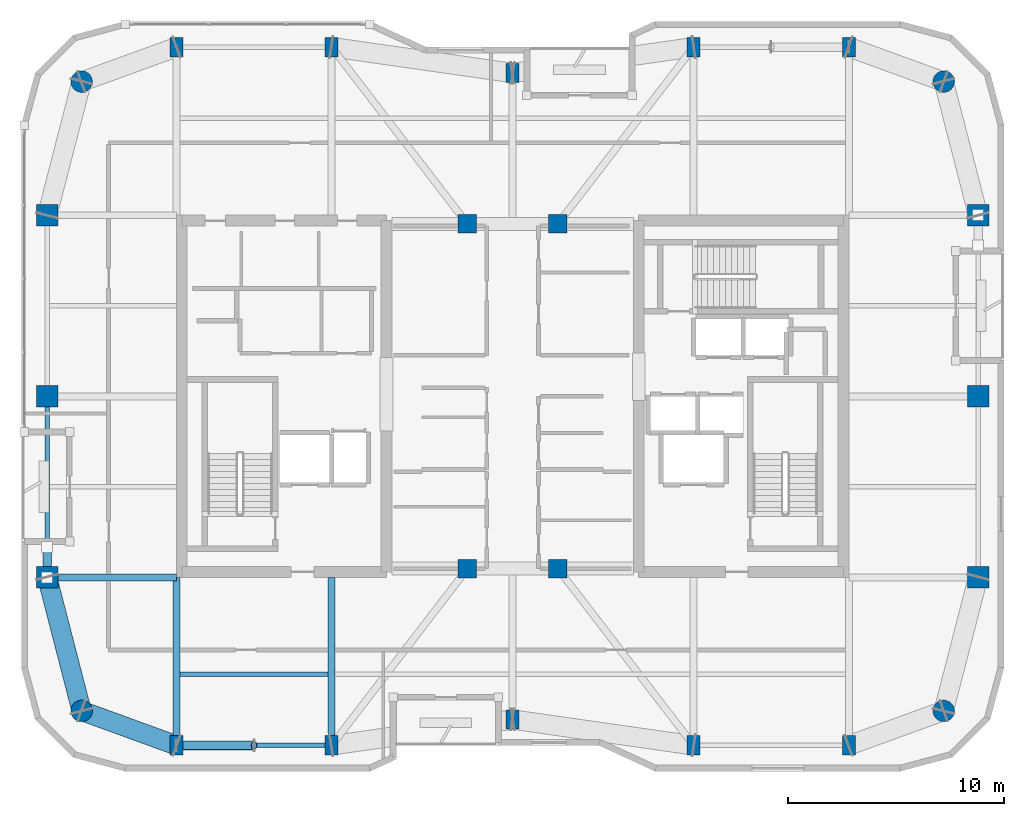
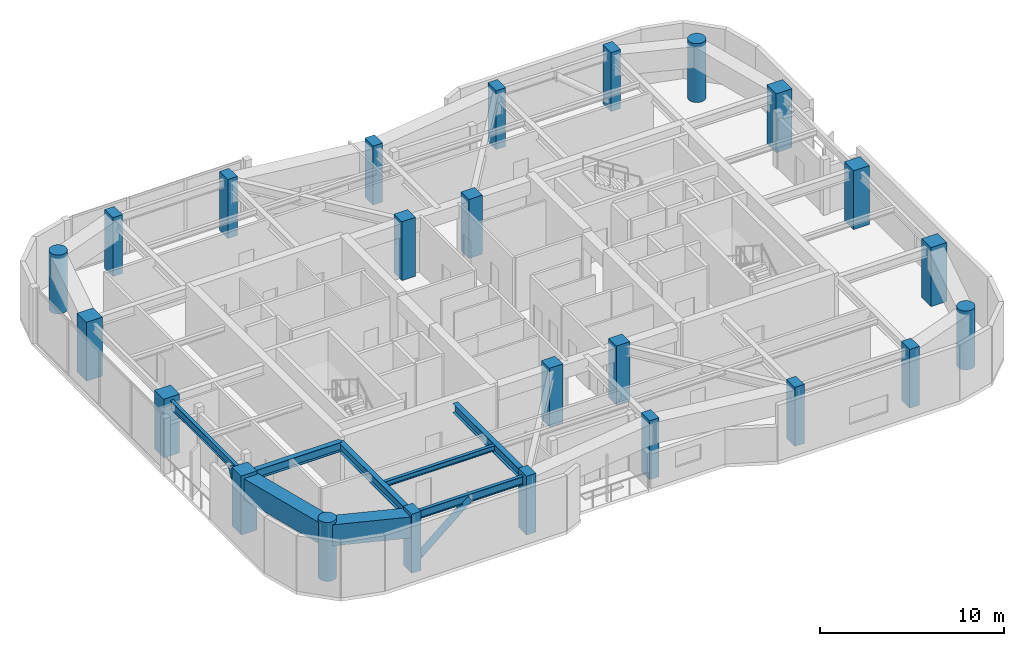
# One storey, part 1 of 15: 24 columns, 8 beams, 2 members.
"""IFC4 building model written with IfcOpenShell, lengths in metres."""

import ifcopenshell
import ifcopenshell.guid

model = None  # the IFC model being written
_history = None  # IfcOwnerHistory: only IFC2X3 demands one
_inside = {}  # id of a spatial element -> (the spatial element, [elements in it])
_under = {}  # id of a project, library or spatial element -> (it, [spatial elements below it])
_declared = {}  # id of a project -> (the project, [libraries it declares])
_typed = {}  # id of a type object -> (the type object, [elements of that type])
_made_of = {}  # id of a material, layer set ... -> (it, [elements and type objects made of it])


def new_model(schema):
    """Start an empty IFC model of exactly this schema.

    Asked for "IFC4X3", IfcOpenShell would pick the latest addendum, in which some entities
    have other attributes; the version numbers below select the first issue.
    IFC2X3 requires an IfcOwnerHistory on every rooted entity: one is made here for all.
    """
    global model, _history
    if schema == "IFC4X3":
        model = ifcopenshell.file(schema_version=(4, 3, 0, 0))
    else:
        model = ifcopenshell.file(schema=schema)
    _inside.clear()
    _under.clear()
    _declared.clear()
    _typed.clear()
    _made_of.clear()
    _history = None
    if model.schema == "IFC2X3":
        org = make("IfcOrganization", Name="unknown")
        user = make(
            "IfcPersonAndOrganization",
            ThePerson=make("IfcPerson", FamilyName="unknown"),
            TheOrganization=org,
        )
        app = make(
            "IfcApplication",
            ApplicationDeveloper=org,
            Version="unknown",
            ApplicationFullName="unknown",
            ApplicationIdentifier="unknown",
        )
        _history = make(
            "IfcOwnerHistory",
            OwningUser=user,
            OwningApplication=app,
            ChangeAction="ADDED",
            CreationDate=0,
        )
    return model


def make(cls, **values):
    """One entity of the class cls with the attributes given. An attribute that is None is left unset."""
    return model.create_entity(
        cls, **{name: value for name, value in values.items() if value is not None}
    )


def rooted(cls, **values):
    """An entity with a GlobalId (a new one), such as an element, a storey or a relation."""
    return make(cls, GlobalId=ifcopenshell.guid.new(), OwnerHistory=_history, **values)


def si_unit(unit_type, name, prefix=None):
    """IfcSIUnit, for example si_unit("LENGTHUNIT", "METRE", prefix="MILLI")."""
    return make("IfcSIUnit", UnitType=unit_type, Prefix=prefix, Name=name)


def assignment(units):
    """IfcUnitAssignment: the units of a project."""
    return None if units is None else make("IfcUnitAssignment", Units=units)


def point(xyz):
    """IfcCartesianPoint."""
    return None if xyz is None else make("IfcCartesianPoint", Coordinates=xyz)


def direction(xyz):
    """IfcDirection."""
    return None if xyz is None else make("IfcDirection", DirectionRatios=xyz)


def frame(location, z_axis=None, x_axis=None):
    """IfcAxis2Placement3D, a coordinate frame: its origin and axes. An axis left out is left unset."""
    return make(
        "IfcAxis2Placement3D",
        Location=point(location),
        Axis=direction(z_axis),
        RefDirection=direction(x_axis),
    )


def frame_2d(location, x_axis=None):
    """IfcAxis2Placement2D, a coordinate frame in the plane: its origin and x axis."""
    return make(
        "IfcAxis2Placement2D", Location=point(location), RefDirection=direction(x_axis)
    )


def origin():
    """The frame at (0, 0, 0) with its axes left unset."""
    return frame((0.0, 0.0, 0.0))


def origin_2d():
    """The frame at (0, 0) in the plane with its x axis left unset."""
    return frame_2d((0.0, 0.0))


def place(relative_to, where):
    """IfcLocalPlacement: puts the frame where relative to a parent placement (None: the world)."""
    return make(
        "IfcLocalPlacement", PlacementRelTo=relative_to, RelativePlacement=where
    )


def context(
    kind, dimensions, precision=None, world=None, true_north=None, identifier=None
):
    """IfcGeometricRepresentationContext, for example the 3D "Model" context."""
    return make(
        "IfcGeometricRepresentationContext",
        ContextIdentifier=identifier,
        ContextType=kind,
        CoordinateSpaceDimension=dimensions,
        Precision=precision,
        WorldCoordinateSystem=world,
        TrueNorth=true_north,
    )


def subcontext(parent, identifier, kind, view, scale=None):
    """IfcGeometricRepresentationSubContext, for example "Body" below "Model"."""
    return make(
        "IfcGeometricRepresentationSubContext",
        ContextIdentifier=identifier,
        ContextType=kind,
        ParentContext=parent,
        TargetScale=scale,
        TargetView=view,
    )


def project(units=None, contexts=None):
    """IfcProject with its units and contexts."""
    return rooted(
        "IfcProject",
        Name="project",
        RepresentationContexts=contexts,
        UnitsInContext=assignment(units),
    )


def spatial(cls, under=None, at=None, **own):
    """A site, building, storey or space (cls), placed at a placement, below another one or the project."""
    s = rooted(cls, ObjectPlacement=at, **own)
    if under is not None:
        _under.setdefault(under.id(), (under, []))[1].append(s)
    return s


def profile(cls, at=None, kind="AREA", **sizes):
    """A parametric profile (cls). Its sizes go by their IFC names, for example OverallWidth=200.0."""
    return make(cls, ProfileType=kind, Position=at, **sizes)


def rectangle(**sizes):
    """IfcRectangleProfileDef."""
    return profile("IfcRectangleProfileDef", **sizes)


def hollow_rectangle(**sizes):
    """IfcRectangleHollowProfileDef."""
    return profile("IfcRectangleHollowProfileDef", **sizes)


def circle(**sizes):
    """IfcCircleProfileDef."""
    return profile("IfcCircleProfileDef", **sizes)


def hollow_circle(**sizes):
    """IfcCircleHollowProfileDef."""
    return profile("IfcCircleHollowProfileDef", **sizes)


def i_section(**sizes):
    """IfcIShapeProfileDef."""
    return profile("IfcIShapeProfileDef", **sizes)


def extrude(swept, where, along, depth):
    """IfcExtrudedAreaSolid: the profile swept, set in the frame where, extruded along a direction by depth."""
    return make(
        "IfcExtrudedAreaSolid",
        SweptArea=swept,
        Position=where,
        ExtrudedDirection=direction(along),
        Depth=depth,
    )


def shape(context_of_items, identifier, shape_type, items):
    """IfcShapeRepresentation: the items that make up one representation, for example the "Body"."""
    return make(
        "IfcShapeRepresentation",
        ContextOfItems=context_of_items,
        RepresentationIdentifier=identifier,
        RepresentationType=shape_type,
        Items=items,
    )


def material(Name=None, Category=None):
    """IfcMaterial."""
    return make("IfcMaterial", Name=Name, Category=Category)


def material_profile(
    of_material, cross_section, Name=None, Category=None, Priority=None
):
    """IfcMaterialProfile: a cross section and its material."""
    return make(
        "IfcMaterialProfile",
        Name=Name,
        Material=of_material,
        Profile=cross_section,
        Priority=Priority,
        Category=Category,
    )


def profile_set(profiles, Name=None, composite=None):
    """IfcMaterialProfileSet."""
    return make(
        "IfcMaterialProfileSet",
        Name=Name,
        MaterialProfiles=profiles,
        CompositeProfile=composite,
    )


def made_of(thing, what):
    """Note that an element or type object is made of a material, layer set ...; save() writes the relation."""
    if what is not None:
        _made_of.setdefault(what.id(), (what, []))[1].append(thing)
    return thing


def type_object(cls, material=None, **own):
    """A type object (cls), such as IfcWallType, which elements share."""
    return made_of(rooted(cls, **own), material)


def element(
    cls,
    number,
    at=None,
    inside=None,
    cuts=None,
    type_object=None,
    material=None,
    context=None,
    identifier="Body",
    shape_type=None,
    held_by="IfcProductDefinitionShape",
    body=None,
    shapes=None,
    **own,
):
    """One element of the class cls, such as IfcWall. Its Tag is "e" and its number.

    at: its placement. inside: the storey or other place that contains it. cuts: it is an
    opening in that element (IfcRelVoidsElement). A single representation is given by context,
    identifier, shape_type and body (its items); several are given by shapes. held_by: the class
    of the entity that holds the representations. save() writes the other relations.
    """
    e = rooted(cls, Tag="e%d" % number, ObjectPlacement=at, **own)
    if body is not None:
        shapes = [shape(context, identifier, shape_type, body)]
    if shapes is not None:
        e.Representation = make(held_by, Representations=shapes)
    if inside is not None:
        _inside.setdefault(inside.id(), (inside, []))[1].append(e)
    if cuts is not None:
        rooted(
            "IfcRelVoidsElement", RelatingBuildingElement=cuts, RelatedOpeningElement=e
        )
    if type_object is not None:
        _typed.setdefault(type_object.id(), (type_object, []))[1].append(e)
    return made_of(e, material)


def aggregate(whole, parts):
    """IfcRelAggregates: a whole, such as a stair, and the parts it consists of."""
    return rooted("IfcRelAggregates", RelatingObject=whole, RelatedObjects=parts)


def save(model, path):
    """Write the relations noted so far, then the file.

    IfcRelAggregates (storeys below a building ...), IfcRelContainedInSpatialStructure (elements
    in a storey), IfcRelDefinesByType, IfcRelAssociatesMaterial and IfcRelDeclares: one each for
    every whole, place, type object, material and project.
    """
    for whole, parts in _under.values():
        aggregate(whole, parts)
    for where, things in _inside.values():
        rooted(
            "IfcRelContainedInSpatialStructure",
            RelatedElements=things,
            RelatingStructure=where,
        )
    for kind, things in _typed.values():
        rooted("IfcRelDefinesByType", RelatedObjects=things, RelatingType=kind)
    for what, things in _made_of.values():
        rooted("IfcRelAssociatesMaterial", RelatedObjects=things, RelatingMaterial=what)
    for by, libraries in _declared.values():
        rooted("IfcRelDeclares", RelatingContext=by, RelatedDefinitions=libraries)
    model.write(path)


model = new_model("IFC4")

# Units and contexts
model_context = context("Model", 3, precision=1e-05, world=origin(), true_north=direction((0.0, 1.0)))
body_context = subcontext(model_context, "Body", "Model", "MODEL_VIEW")
ifc_project = project(units=[si_unit("LENGTHUNIT", "METRE"), si_unit("AREAUNIT", "SQUARE_METRE"), si_unit("VOLUMEUNIT", "CUBIC_METRE"), si_unit("PLANEANGLEUNIT", "RADIAN"), si_unit("MASSUNIT", "GRAM", prefix="KILO")], contexts=[model_context])

# Site, building, storey
site_placement = place(None, origin())
site = spatial("IfcSite", under=ifc_project, at=site_placement, CompositionType="ELEMENT")
building_placement = place(site_placement, origin())
building = spatial("IfcBuilding", under=site, at=building_placement, Name="Kiyonajd Concourse Tower", CompositionType="ELEMENT")
storey_placement = place(building_placement, frame((0.0, 0.0, 290.10009765625)))
storey = spatial("IfcBuildingStorey", under=building, at=storey_placement, Name="L73", CompositionType="ELEMENT", Elevation=290.10009765625)

# Columns
ifc_material_1 = material(Name="Concrete C60/75", Category="concrete")
ifc_material_profile_1 = material_profile(ifc_material_1, rectangle(XDim=0.60009765625, YDim=0.89990234375, at=origin_2d()), Name="RC-900x600")
ifc_profile_set_1 = profile_set([ifc_material_profile_1], Name="Concrete C60/75")
column_type_1 = type_object("IfcColumnType", Name="CL-BLADE-900", PredefinedType="COLUMN", material=ifc_profile_set_1)
for number, where, z_axis, x_axis, name in (
    (1, (32.39990234375, 19.800048828125, 0.0), (0.0, 0.0, 1.0), (1.0, 0.0, 0.0), "L73 Perimeter Bundled Tube Column"),
    (2, (32.39990234375, 52.199951171875, 0.0), (0.0, 0.0, 1.0), (1.0, 0.0, 0.0), "L73 Perimeter Bundled Tube Column"),
    (3, (39.60009765625, 19.800048828125, 0.0), (0.0, 0.0, 1.0), (1.0, 0.0, 0.0), "L73 Perimeter Bundled Tube Column"),
    (4, (39.60009765625, 52.199951171875, 0.0), (0.0, 0.0, 1.0), (1.0, 0.0, 0.0), "L73 Perimeter Bundled Tube Column"),
    (5, (48.0, 21.0, 0.0), (0.0, 0.0, 1.0), (1.0, 0.0, 0.0), "L73 Perimeter Bundled Tube Column"),
    (6, (48.0, 51.0, 0.0), (0.0, 0.0, 1.0), (1.0, 0.0, 0.0), "L73 Perimeter Bundled Tube Column"),
    (7, (56.39990234375, 19.800048828125, 0.0), (0.0, 0.0, 1.0), (1.0, 0.0, 0.0), "L73 Perimeter Bundled Tube Column"),
    (8, (56.39990234375, 52.199951171875, 0.0), (0.0, 0.0, 1.0), (1.0, 0.0, 0.0), "L73 Perimeter Bundled Tube Column"),
    (9, (63.60009765625, 19.800048828125, 0.0), (0.0, 0.0, 1.0), (1.0, 0.0, 0.0), "L73 Perimeter Bundled Tube Column"),
    (10, (63.60009765625, 52.199951171875, 0.0), (0.0, 0.0, 1.0), (1.0, 0.0, 0.0), "L73 Perimeter Bundled Tube Column"),
):
    element("IfcColumn", number, at=place(storey_placement, frame(where, z_axis=z_axis, x_axis=x_axis)), inside=storey, type_object=column_type_1, Name=name, PredefinedType="COLUMN", context=body_context, shape_type="SweptSolid", body=[
        extrude(rectangle(XDim=0.60009765625, YDim=0.89990234375, at=origin_2d()), origin(), (0.0, 0.0, 1.0), 3.89990234375),
    ])
ifc_material_profile_2 = material_profile(ifc_material_1, circle(Radius=0.5, at=origin_2d()), Name="RCC-D1000")
ifc_profile_set_2 = profile_set([ifc_material_profile_2], Name="Concrete C60/75")
column_type_2 = type_object("IfcColumnType", Name="CL-RND-1000", PredefinedType="COLUMN", material=ifc_profile_set_2)
for number, where, z_axis, x_axis, name in (
    (11, (28.0, 21.39990234375, 0.0), (0.0, 0.0, 1.0), (1.0, 0.0, 0.0), "L73 Bundled Tube Corner Column South West"),
    (12, (68.0, 21.39990234375, 0.0), (0.0, 0.0, 1.0), (1.0, 0.0, 0.0), "L73 Bundled Tube Corner Column South East"),
    (13, (68.0, 50.60009765625, 0.0), (0.0, 0.0, 1.0), (1.0, 0.0, 0.0), "L73 Bundled Tube Corner Column North East"),
    (14, (28.0, 50.60009765625, 0.0), (0.0, 0.0, 1.0), (1.0, 0.0, 0.0), "L73 Bundled Tube Corner Column North West"),
):
    element("IfcColumn", number, at=place(storey_placement, frame(where, z_axis=z_axis, x_axis=x_axis)), inside=storey, type_object=column_type_2, Name=name, PredefinedType="COLUMN", context=body_context, shape_type="SweptSolid", body=[
        extrude(circle(Radius=0.5, at=origin_2d()), origin(), (0.0, 0.0, 1.0), 3.89990234375),
    ])
ifc_material_profile_3 = material_profile(ifc_material_1, rectangle(XDim=1.0, YDim=1.0, at=origin_2d()), Name="RC-1000x1000")
ifc_profile_set_3 = profile_set([ifc_material_profile_3], Name="Concrete C60/75")
column_type_3 = type_object("IfcColumnType", Name="CL-TUBE-1000", PredefinedType="COLUMN", material=ifc_profile_set_3)
for number, where, z_axis, x_axis, name in (
    (15, (26.39990234375, 27.60009765625, 0.0), (0.0, 0.0, 1.0), (1.0, 0.0, 0.0), "L73 Perimeter Bundled Tube Column"),
    (16, (69.60009765625, 27.60009765625, 0.0), (0.0, 0.0, 1.0), (1.0, 0.0, 0.0), "L73 Perimeter Bundled Tube Column"),
    (17, (26.39990234375, 36.0, 0.0), (0.0, 0.0, 1.0), (1.0, 0.0, 0.0), "L73 Perimeter Bundled Tube Column"),
    (18, (69.60009765625, 36.0, 0.0), (0.0, 0.0, 1.0), (1.0, 0.0, 0.0), "L73 Perimeter Bundled Tube Column"),
    (19, (26.39990234375, 44.39990234375, 0.0), (0.0, 0.0, 1.0), (1.0, 0.0, 0.0), "L73 Perimeter Bundled Tube Column"),
    (20, (69.60009765625, 44.39990234375, 0.0), (0.0, 0.0, 1.0), (1.0, 0.0, 0.0), "L73 Perimeter Bundled Tube Column"),
):
    element("IfcColumn", number, at=place(storey_placement, frame(where, z_axis=z_axis, x_axis=x_axis)), inside=storey, type_object=column_type_3, Name=name, PredefinedType="COLUMN", context=body_context, shape_type="SweptSolid", body=[
        extrude(rectangle(XDim=1.0, YDim=1.0, at=origin_2d()), origin(), (0.0, 0.0, 1.0), 3.89990234375),
    ])
ifc_material_profile_4 = material_profile(ifc_material_1, rectangle(XDim=0.85009765625, YDim=0.85009765625, at=origin_2d()), Name="RC-850x850")
ifc_profile_set_4 = profile_set([ifc_material_profile_4], Name="Concrete C60/75")
column_type_4 = type_object("IfcColumnType", Name="CL-TUBE-850", PredefinedType="COLUMN", material=ifc_profile_set_4)
for number, where, z_axis, x_axis, name in (
    (21, (45.89990234375, 28.0, 0.0), (0.0, 0.0, 1.0), (1.0, 0.0, 0.0), "L73 Core Tie Column South West"),
    (22, (50.10009765625, 28.0, 0.0), (0.0, 0.0, 1.0), (1.0, 0.0, 0.0), "L73 Core Tie Column South East"),
    (23, (45.89990234375, 44.0, 0.0), (0.0, 0.0, 1.0), (1.0, 0.0, 0.0), "L73 Core Tie Column North West"),
    (24, (50.10009765625, 44.0, 0.0), (0.0, 0.0, 1.0), (1.0, 0.0, 0.0), "L73 Core Tie Column North East"),
):
    element("IfcColumn", number, at=place(storey_placement, frame(where, z_axis=z_axis, x_axis=x_axis)), inside=storey, type_object=column_type_4, Name=name, PredefinedType="COLUMN", context=body_context, shape_type="SweptSolid", body=[
        extrude(rectangle(XDim=0.85009765625, YDim=0.85009765625, at=origin_2d()), origin(), (0.0, 0.0, 1.0), 3.89990234375),
    ])

# Beams
ifc_material_2 = material(Name="Steel ASTM A992 Grade 50", Category="steel")
ifc_material_profile_5 = material_profile(ifc_material_2, i_section(OverallWidth=0.205078125, OverallDepth=0.35400390625, WebThickness=0.009521484375, FlangeThickness=0.016845703125, at=origin_2d()), Name="W360X79")
ifc_profile_set_5 = profile_set([ifc_material_profile_5], Name="Steel ASTM A992 Grade 50")
beam_type_1 = type_object("IfcBeamType", Name="BM-JST-360", PredefinedType="JOIST", material=ifc_profile_set_5)
beam_1_placement = place(storey_placement, frame((32.56201171875, 23.10009765625, 3.5029296875), z_axis=(1.0, 0.0, 0.0), x_axis=(0.0, 1.0, 0.0)))
element("IfcBeam", 25, at=beam_1_placement, inside=storey, type_object=beam_type_1, Name="L73 Secondary Floor Joist", PredefinedType="JOIST", context=body_context, shape_type="SweptSolid", body=[
    extrude(i_section(OverallWidth=0.205078125, OverallDepth=0.35400390625, WebThickness=0.009521484375, FlangeThickness=0.016845703125, at=origin_2d()), origin(), (0.0, 0.0, 1.0), 6.8759765625),
])
ifc_material_profile_6 = material_profile(ifc_material_2, i_section(OverallWidth=0.2109375, OverallDepth=0.5390625, WebThickness=0.01171875, FlangeThickness=0.018798828125, at=origin_2d()), Name="W530X109")
ifc_profile_set_6 = profile_set([ifc_material_profile_6], Name="Steel ASTM A992 Grade 50")
beam_type_2 = type_object("IfcBeamType", Name="BM-SPAN-530B", PredefinedType="SPANDREL", material=ifc_profile_set_6)
beam_2_placement = place(storey_placement, frame((32.39990234375, 19.800048828125, 3.410400390625), z_axis=(1.0, 0.0, 0.0), x_axis=(0.0, 1.0, 0.0)))
element("IfcBeam", 26, at=beam_2_placement, inside=storey, type_object=beam_type_2, Name="L73 Perimeter Bundled Tube Spandrel", PredefinedType="SPANDREL", context=body_context, shape_type="SweptSolid", body=[
    extrude(i_section(OverallWidth=0.2109375, OverallDepth=0.5390625, WebThickness=0.01171875, FlangeThickness=0.018798828125, at=origin_2d()), origin(), (0.0, 0.0, 1.0), 7.2001953125),
])
beam_3_placement = place(storey_placement, frame((26.39990234375, 36.0, 3.410400390625), z_axis=(0.0, -1.0, 0.0), x_axis=(1.0, 0.0, 0.0)))
element("IfcBeam", 27, at=beam_3_placement, inside=storey, type_object=beam_type_2, Name="L73 Perimeter Bundled Tube Spandrel", PredefinedType="SPANDREL", context=body_context, shape_type="SweptSolid", body=[
    extrude(i_section(OverallWidth=0.2109375, OverallDepth=0.5390625, WebThickness=0.01171875, FlangeThickness=0.018798828125, at=origin_2d()), origin(), (0.0, 0.0, 1.0), 8.39990234375),
])
ifc_material_profile_7 = material_profile(ifc_material_2, i_section(OverallWidth=0.323974609375, OverallDepth=0.611083984375, WebThickness=0.0126953125, FlangeThickness=0.01904296875, at=origin_2d()), Name="W610X155")
ifc_profile_set_7 = profile_set([ifc_material_profile_7], Name="Steel ASTM A992 Grade 50")
beam_type_3 = type_object("IfcBeamType", Name="BM-TWR-610B", PredefinedType="BEAM", material=ifc_profile_set_7)
for number, where, z_axis, x_axis, name in (
    (28, (32.39990234375, 19.800048828125, 3.37451171875), (0.0, 1.0, 0.0), (-1.0, 0.0, 0.0), "L73 South Lease Girder"),
    (29, (39.60009765625, 19.800048828125, 3.37451171875), (0.0, 1.0, 0.0), (-1.0, 0.0, 0.0), "L73 South Lease Girder"),
):
    element("IfcBeam", number, at=place(storey_placement, frame(where, z_axis=z_axis, x_axis=x_axis)), inside=storey, type_object=beam_type_3, Name=name, PredefinedType="BEAM", context=body_context, shape_type="SweptSolid", body=[
        extrude(i_section(OverallWidth=0.323974609375, OverallDepth=0.611083984375, WebThickness=0.0126953125, FlangeThickness=0.01904296875, at=origin_2d()), origin(), (0.0, 0.0, 1.0), 7.800048828125),
    ])
beam_4_placement = place(storey_placement, frame((26.39990234375, 27.60009765625, 3.37451171875), z_axis=(1.0, 0.0, 0.0), x_axis=(0.0, 1.0, 0.0)))
element("IfcBeam", 30, at=beam_4_placement, inside=storey, type_object=beam_type_3, Name="L73 West Lease Girder", PredefinedType="BEAM", context=body_context, shape_type="SweptSolid", body=[
    extrude(i_section(OverallWidth=0.323974609375, OverallDepth=0.611083984375, WebThickness=0.0126953125, FlangeThickness=0.01904296875, at=origin_2d()), origin(), (0.0, 0.0, 1.0), 6.0),
])
ifc_material_3 = material(Name="Steel ASTM A572 Grade 50", Category="steel")
ifc_material_profile_8 = material_profile(ifc_material_3, hollow_rectangle(XDim=0.89990234375, YDim=1.39990234375, WallThickness=0.070068359375, at=origin_2d()), Name="BOX-1400x900x70")
ifc_profile_set_8 = profile_set([ifc_material_profile_8], Name="Steel ASTM A572 Grade 50")
beam_type_4 = type_object("IfcBeamType", Name="BM-XFER-1400", PredefinedType="BEAM", material=ifc_profile_set_8)
beam_5_placement = place(storey_placement, frame((26.39990234375, 27.60009765625, 2.97998046875), z_axis=(0.249884937687, -0.968275538221, 0.0), x_axis=(0.968275538221, 0.249884937687, 0.0)))
element("IfcBeam", 31, at=beam_5_placement, inside=storey, type_object=beam_type_4, Name="L73 Perimeter Bundled Tube Spandrel", PredefinedType="BEAM", context=body_context, shape_type="SweptSolid", body=[
    extrude(hollow_rectangle(XDim=0.89990234375, YDim=1.39990234375, WallThickness=0.070068359375, at=origin_2d()), origin(), (0.0, 0.0, 1.0), 6.4033203125),
])
beam_6_placement = place(storey_placement, frame((28.0, 21.39990234375, 2.97998046875), z_axis=(0.939801036019, -0.341722127901, 0.0), x_axis=(0.341722127901, 0.939801036019, 0.0)))
element("IfcBeam", 32, at=beam_6_placement, inside=storey, type_object=beam_type_4, Name="L73 Perimeter Bundled Tube Spandrel", PredefinedType="BEAM", context=body_context, shape_type="SweptSolid", body=[
    extrude(hollow_rectangle(XDim=0.89990234375, YDim=1.39990234375, WallThickness=0.070068359375, at=origin_2d()), origin(), (0.0, 0.0, 1.0), 4.681640625),
])

# Members
ifc_material_4 = material(Name="Steel ASTM A500 Grade C", Category="steel")
ifc_material_profile_9 = material_profile(ifc_material_4, hollow_circle(Radius=0.202880859375, WallThickness=0.01904296875, at=origin_2d()), Name="CHS-406x19")
ifc_profile_set_9 = profile_set([ifc_material_profile_9], Name="Steel ASTM A500 Grade C")
member_type = type_object("IfcMemberType", Name="MB-PB-HIGH", PredefinedType="BRACE", material=ifc_profile_set_9)
member_1_placement = place(storey_placement, frame((32.39990234375, 19.800048828125, 0.2998046875), z_axis=(0.765082043761, 0.0, 0.643932811957), x_axis=(0.0, 1.0, 0.0)))
element("IfcMember", 33, at=member_1_placement, inside=storey, type_object=member_type, Name="L73 Upper Zone Hollow Tube Brace PBS", PredefinedType="BRACE", context=body_context, shape_type="SweptSolid", body=[
    extrude(hollow_circle(Radius=0.202880859375, WallThickness=0.01904296875, at=origin_2d()), origin(), (0.0, 0.0, 1.0), 4.70556640625),
])
member_2_placement = place(storey_placement, frame((26.39990234375, 27.60009765625, 0.2998046875), z_axis=(0.0, 0.419410666774, 0.907796614114), x_axis=(-1.0, 0.0, 0.0)))
element("IfcMember", 34, at=member_2_placement, inside=storey, type_object=member_type, Name="L73 Upper Zone Hollow Tube Brace PBW", PredefinedType="BRACE", context=body_context, shape_type="SweptSolid", body=[
    extrude(hollow_circle(Radius=0.202880859375, WallThickness=0.01904296875, at=origin_2d()), origin(), (0.0, 0.0, 1.0), 3.337890625),
])

save(model, "model.ifc")
